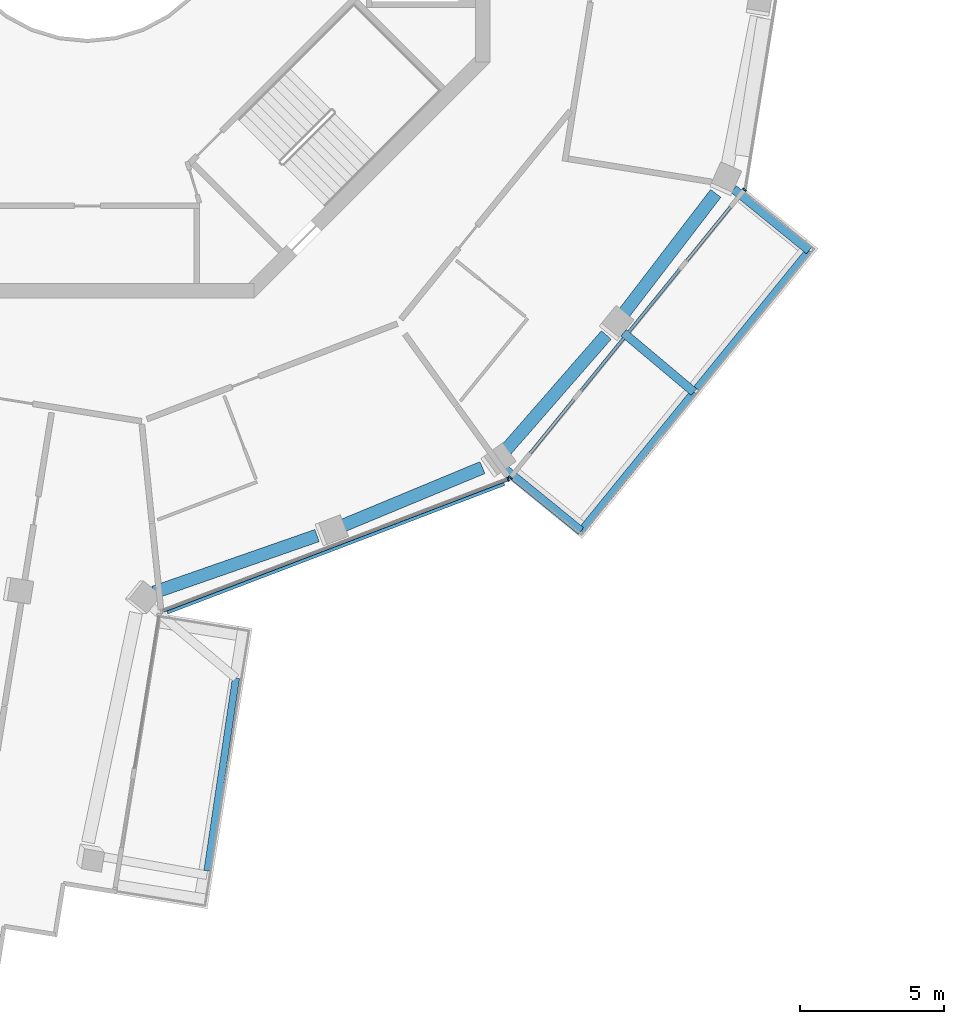
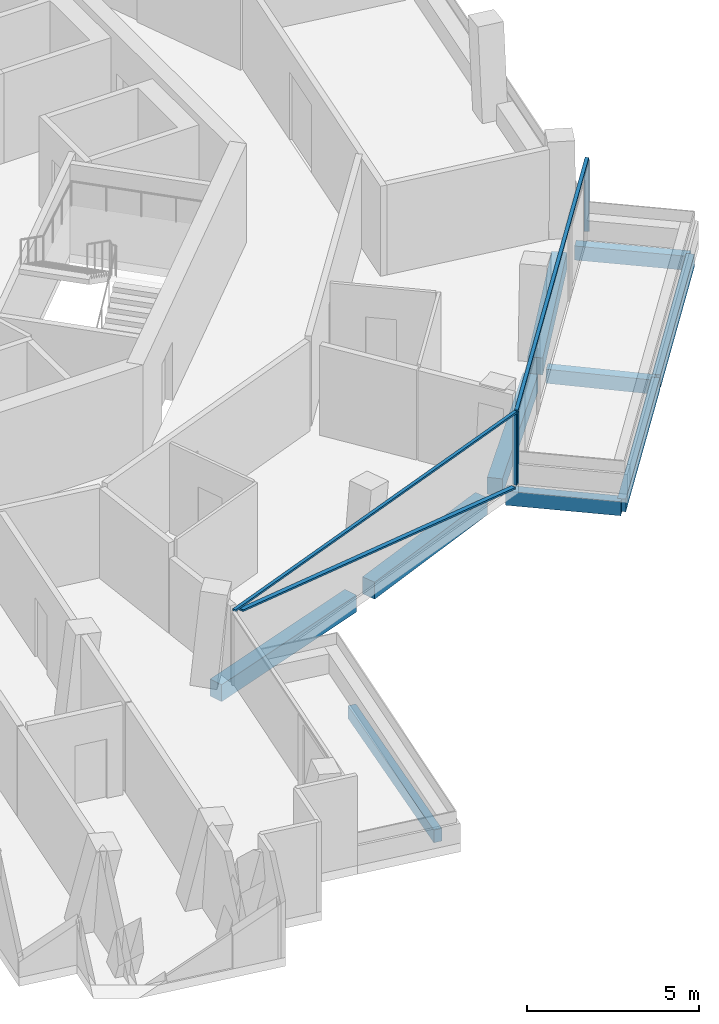
# One storey, part 4 of 23: 10 beams, 6 members, 2 elements without a shape of their own.
"""IFC4 building model written with IfcOpenShell, lengths in metres."""

from ifc_helpers import new_model, si_unit, direction, frame, origin, origin_2d, place, context, subcontext, project, spatial, rectangle, extrude, material, layer, layer_set, material_profile, profile_set, type_object, element, aggregate, save


model = new_model("IFC4")

# Units and contexts
model_context = context("Model", 3, precision=1e-05, world=origin(), true_north=direction((0.0, 1.0)))
body_context = subcontext(model_context, "Body", "Model", "MODEL_VIEW")
ifc_project = project(units=[si_unit("LENGTHUNIT", "METRE"), si_unit("AREAUNIT", "SQUARE_METRE"), si_unit("VOLUMEUNIT", "CUBIC_METRE"), si_unit("PLANEANGLEUNIT", "RADIAN"), si_unit("MASSUNIT", "GRAM", prefix="KILO")], contexts=[model_context])

# Site, building, storey
site_placement = place(None, origin())
site = spatial("IfcSite", under=ifc_project, at=site_placement, CompositionType="ELEMENT")
building_placement = place(site_placement, origin())
building = spatial("IfcBuilding", under=site, at=building_placement, Name="Verdalira Terraces Hotel", CompositionType="ELEMENT")
storey_placement = place(building_placement, frame((0.0, 0.0, 241.0)))
storey = spatial("IfcBuildingStorey", under=building, at=storey_placement, Name="L59", CompositionType="ELEMENT", Elevation=241.0)

# Beams
ifc_material_1 = material(Name="Concrete C40", Category="concrete")
ifc_material_profile_1 = material_profile(ifc_material_1, rectangle(XDim=0.300049, YDim=0.5, at=origin_2d()), Name="RC 300X500")
ifc_profile_set_1 = profile_set([ifc_material_profile_1], Name="Concrete C40")
beam_type_1 = type_object("IfcBeamType", Name="Balcony cantilever beam RC 300X500 C40", PredefinedType="BEAM", material=ifc_profile_set_1)
beam_1_placement = place(storey_placement, frame((14.5271, -19.960938, -0.560059), z_axis=(0.775832245, -0.630939242, 0.0), x_axis=(0.630939242, 0.775832245, 0.0)))
element("IfcBeam", 1, at=beam_1_placement, inside=storey, type_object=beam_type_1, Name="Balcony cantilever beam R26-1", PredefinedType="BEAM", context=body_context, shape_type="SweptSolid", body=[
    extrude(rectangle(XDim=0.300049, YDim=0.5, at=origin_2d()), origin(), (0.0, 0.0, 1.0), 3.393555),
])
beam_2_placement = place(storey_placement, frame((18.638428, -15.21167, -0.560059), z_axis=(0.765105001, -0.643905535, 0.0), x_axis=(0.643905535, 0.765105001, 0.0)))
element("IfcBeam", 2, at=beam_2_placement, inside=storey, type_object=beam_type_1, Name="Balcony cantilever beam R26-2", PredefinedType="BEAM", context=body_context, shape_type="SweptSolid", body=[
    extrude(rectangle(XDim=0.300049, YDim=0.5, at=origin_2d()), origin(), (0.0, 0.0, 1.0), 3.200928),
])
beam_3_placement = place(storey_placement, frame((22.470459, -10.217285, -0.560059), z_axis=(0.775795612, -0.630984285, 0.0), x_axis=(0.630984285, 0.775795612, 0.0)))
element("IfcBeam", 3, at=beam_3_placement, inside=storey, type_object=beam_type_1, Name="Balcony cantilever beam R26-3", PredefinedType="BEAM", context=body_context, shape_type="SweptSolid", body=[
    extrude(rectangle(XDim=0.300049, YDim=0.5, at=origin_2d()), origin(), (0.0, 0.0, 1.0), 3.378662),
])
ifc_material_2 = material(Name="Concrete C40", Category="concrete")
ifc_material_profile_2 = material_profile(ifc_material_2, rectangle(XDim=0.25, YDim=0.449951, at=origin_2d()), Name="RC 250X450")
ifc_profile_set_2 = profile_set([ifc_material_profile_2], Name="Concrete C40")
beam_type_2 = type_object("IfcBeamType", Name="Balcony edge beam RC 250X450 C40", PredefinedType="BEAM", material=ifc_profile_set_2)
beam_4_placement = place(storey_placement, frame((4.174316, -33.922119, -0.534912), z_axis=(0.146341107, 0.989234189, 0.0), x_axis=(-0.989234189, 0.146341107, 0.0)))
element("IfcBeam", 4, at=beam_4_placement, inside=storey, type_object=beam_type_2, Name="Balcony edge beam R24-1", PredefinedType="BEAM", context=body_context, shape_type="SweptSolid", body=[
    extrude(rectangle(XDim=0.25, YDim=0.449951, at=origin_2d()), origin(), (0.0, 0.0, 1.0), 6.77832),
])
beam_5_placement = place(storey_placement, frame((17.159912, -22.102051, -0.534912), z_axis=(0.630945455, 0.775827193, 0.0), x_axis=(-0.775827193, 0.630945455, 0.0)))
element("IfcBeam", 5, at=beam_5_placement, inside=storey, type_object=beam_type_2, Name="Balcony edge beam R26-1", PredefinedType="BEAM", context=body_context, shape_type="SweptSolid", body=[
    extrude(rectangle(XDim=0.25, YDim=0.449951, at=origin_2d()), origin(), (0.0, 0.0, 1.0), 6.224854),
])
beam_6_placement = place(storey_placement, frame((21.182129, -17.15625, -0.534912), z_axis=(0.630945603, 0.775827073, 0.0), x_axis=(-0.775827073, 0.630945603, 0.0)))
element("IfcBeam", 6, at=beam_6_placement, inside=storey, type_object=beam_type_2, Name="Balcony edge beam R26-2", PredefinedType="BEAM", context=body_context, shape_type="SweptSolid", body=[
    extrude(rectangle(XDim=0.25, YDim=0.449951, at=origin_2d()), origin(), (0.0, 0.0, 1.0), 6.196045),
])

# Curtain wall, member
ifc_material_3 = material(Name="Clear glass", Category="glass")
ifc_layer = layer(ifc_material_3, 0.14990234375)
ifc_layer_set = layer_set([ifc_layer], Name="CW1 curtain wall")
curtain_wall_type = type_object("IfcCurtainWallType", Name="CW1 curtain wall", PredefinedType="NOTDEFINED", material=ifc_layer_set)
curtain_wall_1_placement = place(storey_placement, origin())
curtain_wall_1 = element("IfcCurtainWall", 7, at=curtain_wall_1_placement, inside=storey, type_object=curtain_wall_type, Name="CW1 curtain wall L59 edge 25", PredefinedType="NOTDEFINED")
ifc_material_4 = material(Name="Terracotta frame", Category="masonry")
ifc_material_profile_3 = material_profile(ifc_material_4, rectangle(XDim=0.060059, YDim=0.149902, at=origin_2d()), Name="MU 60x150")
ifc_profile_set_3 = profile_set([ifc_material_profile_3], Name="Terracotta frame")
member_type_1 = type_object("IfcMemberType", Name="CW1 mullion 60x150", PredefinedType="MULLION", material=ifc_profile_set_3)
member_1_placement = place(storey_placement, frame((14.626709, -20.303467, 0.0), z_axis=(0.0, 0.0, 1.0), x_axis=(0.934328942, 0.356411879, 0.0)))
member_1 = element("IfcMember", 8, at=member_1_placement, type_object=member_type_1, Name="CW1 mullion", PredefinedType="MULLION", context=body_context, shape_type="SweptSolid", body=[
    extrude(rectangle(XDim=0.060059, YDim=0.149902, at=origin_2d()), origin(), (0.0, 0.0, 1.0), 2.524902),
])

# Curtain wall, members
curtain_wall_2_placement = place(storey_placement, origin())
curtain_wall_2 = element("IfcCurtainWall", 9, at=curtain_wall_2_placement, inside=storey, type_object=curtain_wall_type, Name="CW1 curtain wall L59 edge 26", PredefinedType="NOTDEFINED")
member_2_placement = place(storey_placement, frame((14.705078, -20.246826, 0.0), z_axis=(0.0, 0.0, 1.0), x_axis=(0.63094666, 0.775826212, 0.0)))
member_2 = element("IfcMember", 10, at=member_2_placement, type_object=member_type_1, Name="CW1 mullion", PredefinedType="MULLION", context=body_context, shape_type="SweptSolid", body=[
    extrude(rectangle(XDim=0.060059, YDim=0.149902, at=origin_2d()), origin(), (0.0, 0.0, 1.0), 2.524902),
])
member_3_placement = place(storey_placement, frame((22.844238, -10.23877, 0.0), z_axis=(0.0, 0.0, 1.0), x_axis=(0.63094666, 0.775826212, 0.0)))
member_3 = element("IfcMember", 11, at=member_3_placement, type_object=member_type_1, Name="CW1 mullion", PredefinedType="MULLION", context=body_context, shape_type="SweptSolid", body=[
    extrude(rectangle(XDim=0.060059, YDim=0.149902, at=origin_2d()), origin(), (0.0, 0.0, 1.0), 2.524902),
])

# Member
ifc_material_5 = material(Name="Terracotta frame", Category="masonry")
ifc_material_profile_4 = material_profile(ifc_material_5, rectangle(XDim=0.110107, YDim=0.064941, at=origin_2d()), Name="TR 65x110")
ifc_profile_set_4 = profile_set([ifc_material_profile_4], Name="Terracotta frame")
member_type_2 = type_object("IfcMemberType", Name="CW1 transom 65x110", PredefinedType="USERDEFINED", material=ifc_profile_set_4)
member_4_placement = place(storey_placement, frame((2.546143, -24.911865, 2.557617), z_axis=(0.934325292, 0.356421447, 0.0), x_axis=(-0.356421447, 0.934325292, 0.0)))
member_4 = element("IfcMember", 12, at=member_4_placement, type_object=member_type_2, Name="CW1 transom", ObjectType="TRANSOM", PredefinedType="USERDEFINED", context=body_context, shape_type="SweptSolid", body=[
    extrude(rectangle(XDim=0.110107, YDim=0.064941, at=origin_2d()), origin(), (0.0, 0.0, 1.0), 12.959717),
])

member_5_placement = place(storey_placement, frame((14.686279, -20.27002, 2.557617), z_axis=(0.630953544, 0.775820614, 0.0), x_axis=(-0.775820614, 0.630953544, 0.0)))
member_5 = element("IfcMember", 13, at=member_5_placement, type_object=member_type_2, Name="CW1 transom", ObjectType="TRANSOM", PredefinedType="USERDEFINED", context=body_context, shape_type="SweptSolid", body=[
    extrude(rectangle(XDim=0.110107, YDim=0.064941, at=origin_2d()), origin(), (0.0, 0.0, 1.0), 12.959717),
])

aggregate(curtain_wall_2, [member_2, member_3, member_5])

ifc_material_6 = material(Name="Terracotta frame", Category="masonry")
ifc_material_profile_5 = material_profile(ifc_material_6, rectangle(XDim=0.149902, YDim=0.060059, at=origin_2d()), Name="GB 60x150")
ifc_profile_set_5 = profile_set([ifc_material_profile_5], Name="Terracotta frame")
member_type_3 = type_object("IfcMemberType", Name="Diagonal glazing bar 60x150", PredefinedType="USERDEFINED", material=ifc_profile_set_5)
member_6_placement = place(storey_placement, frame((2.775635, -24.919678, 2.495117), z_axis=(0.916766739, 0.349723093, -0.192957261), x_axis=(-0.35642126, 0.934325364, 0.0)))
member_6 = element("IfcMember", 14, at=member_6_placement, type_object=member_type_3, Name="Diagonal glazing bar", ObjectType="GLAZING BAR", PredefinedType="USERDEFINED", context=body_context, shape_type="SweptSolid", body=[
    extrude(rectangle(XDim=0.149902, YDim=0.060059, at=origin_2d()), origin(), (0.0, 0.0, 1.0), 12.776611),
])

aggregate(curtain_wall_1, [member_1, member_4, member_6])

# Beams
ifc_material_7 = material(Name="Concrete C40", Category="concrete")
ifc_material_profile_6 = material_profile(ifc_material_7, rectangle(XDim=0.449951, YDim=0.600098, at=origin_2d()), Name="RC 450X600")
ifc_profile_set_6 = profile_set([ifc_material_profile_6], Name="Concrete C40")
beam_type_3 = type_object("IfcBeamType", Name="Spandrel beam RC 450X600 C40", PredefinedType="SPANDREL", material=ifc_profile_set_6)
beam_7_placement = place(storey_placement, frame((2.320312, -24.238037, -0.610107), z_axis=(0.944213719, 0.329333346, 0.0), x_axis=(-0.329333346, 0.944213719, 0.0)))
element("IfcBeam", 15, at=beam_7_placement, inside=storey, type_object=beam_type_3, Name="Spandrel beam B11", PredefinedType="SPANDREL", context=body_context, shape_type="SweptSolid", body=[
    extrude(rectangle(XDim=0.449951, YDim=0.600098, at=origin_2d()), origin(), (0.0, 0.0, 1.0), 5.999512),
])
beam_8_placement = place(storey_placement, frame((8.753418, -21.968506, -0.610107), z_axis=(0.923643662, 0.383252378, 0.0), x_axis=(-0.383252378, 0.923643662, 0.0)))
element("IfcBeam", 16, at=beam_8_placement, inside=storey, type_object=beam_type_3, Name="Spandrel beam B12", PredefinedType="SPANDREL", context=body_context, shape_type="SweptSolid", body=[
    extrude(rectangle(XDim=0.449951, YDim=0.600098, at=origin_2d()), origin(), (0.0, 0.0, 1.0), 5.394287),
])
beam_9_placement = place(storey_placement, frame((14.494629, -19.353516, -0.610107), z_axis=(0.657479152, 0.753472737, 0.0), x_axis=(-0.753472737, 0.657479152, 0.0)))
element("IfcBeam", 17, at=beam_9_placement, inside=storey, type_object=beam_type_3, Name="Spandrel beam B13", PredefinedType="SPANDREL", context=body_context, shape_type="SweptSolid", body=[
    extrude(rectangle(XDim=0.449951, YDim=0.600098, at=origin_2d()), origin(), (0.0, 0.0, 1.0), 5.396973),
])
beam_10_placement = place(storey_placement, frame((18.564941, -14.648682, -0.610107), z_axis=(0.608288059, 0.793716346, 0.0), x_axis=(-0.793716346, 0.608288059, 0.0)))
element("IfcBeam", 18, at=beam_10_placement, inside=storey, type_object=beam_type_3, Name="Spandrel beam B14", PredefinedType="SPANDREL", context=body_context, shape_type="SweptSolid", body=[
    extrude(rectangle(XDim=0.449951, YDim=0.600098, at=origin_2d()), origin(), (0.0, 0.0, 1.0), 5.394287),
])

save(model, "model.ifc")
